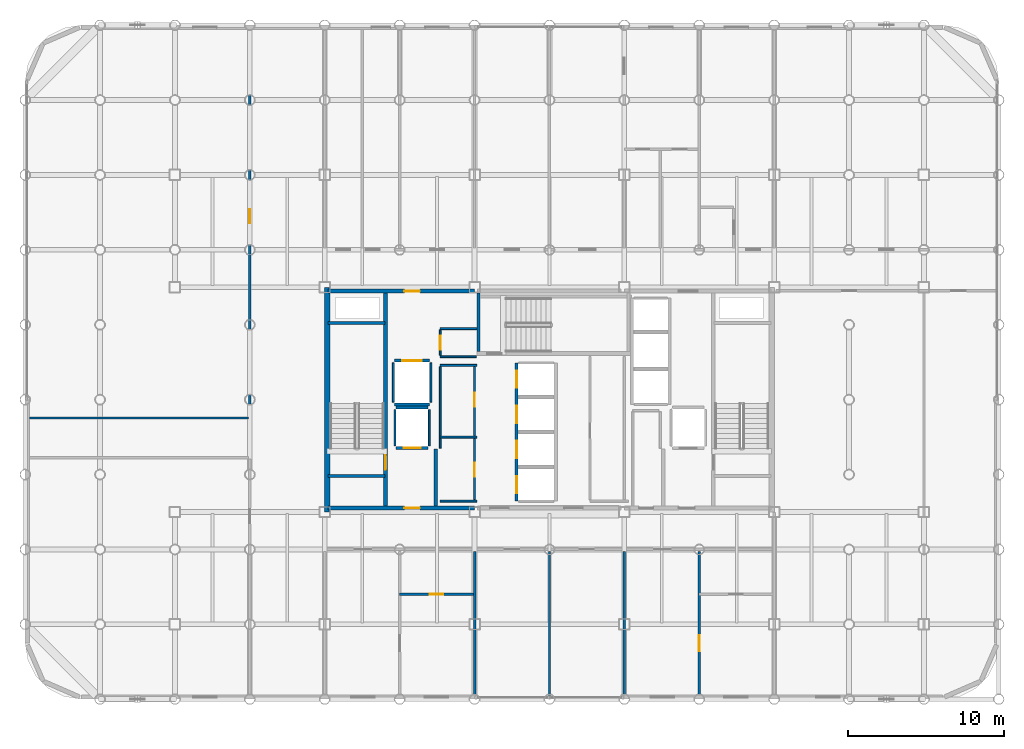
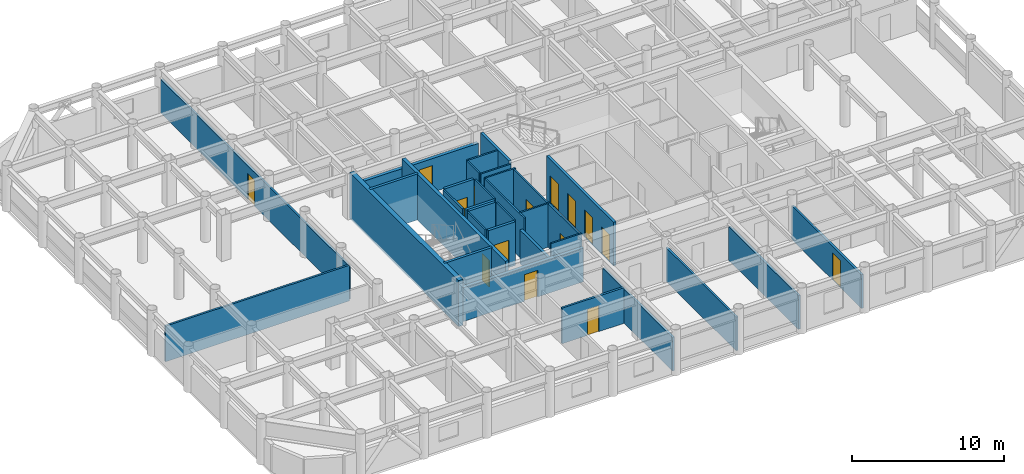
# One storey, part 16 of 20: 32 walls, 15 doors, 15 openings.
"""IFC4 building model written with IfcOpenShell, lengths in metres."""

from ifc_helpers import new_model, si_unit, direction, frame, frame_2d, origin, place, context, subcontext, project, spatial, rectangle, extrude, material, layer, layer_set, type_object, element, fill, save


model = new_model("IFC4")

# Units and contexts
model_context = context("Model", 3, precision=1e-05, world=origin(), true_north=direction((0.0, 1.0)))
body_context = subcontext(model_context, "Body", "Model", "MODEL_VIEW")
ifc_project = project(units=[si_unit("LENGTHUNIT", "METRE"), si_unit("AREAUNIT", "SQUARE_METRE"), si_unit("VOLUMEUNIT", "CUBIC_METRE"), si_unit("PLANEANGLEUNIT", "RADIAN"), si_unit("MASSUNIT", "GRAM", prefix="KILO")], contexts=[model_context])

# Site, building, storey
site_placement = place(None, origin())
site = spatial("IfcSite", under=ifc_project, at=site_placement, CompositionType="ELEMENT")
building_placement = place(site_placement, origin())
building = spatial("IfcBuilding", under=site, at=building_placement, Name="Kallvorn Hotel Tower", CompositionType="ELEMENT")
storey_placement = place(building_placement, frame((0.0, 0.0, 143.300048828125)))
storey = spatial("IfcBuildingStorey", under=building, at=storey_placement, Name="L35", CompositionType="ELEMENT", Elevation=143.300048828125)

# Wall
ifc_material_1 = material(Name="Concrete C50/60", Category="concrete")
ifc_layer_1 = layer(ifc_material_1, 0.35009765625)
ifc_layer_set_1 = layer_set([ifc_layer_1], Name="WL_CORE_350")
wall_type_1 = type_object("IfcWallType", Name="WL_CORE_350", PredefinedType="SHEAR", material=ifc_layer_set_1)
wall_1_placement = place(storey_placement, frame((-14.239990234375, -7.199951171875, -0.179931640625), z_axis=(0.0, 0.0, 1.0), x_axis=(0.0, 1.0, 0.0)))
element("IfcWall", 1, at=wall_1_placement, inside=storey, type_object=wall_type_1, Name="L35 Core West Shear Wall", PredefinedType="SHEAR", context=body_context, shape_type="SweptSolid", body=[
    extrude(rectangle(XDim=14.39990234375, YDim=0.35009765625, at=frame_2d((7.199951171875, 0.0))), origin(), (0.0, 0.0, 1.0), 3.699951171875),
])

# Wall, opening, door
ifc_material_2 = material(Name="Fire-rated double-layer acoustic gypsum drywall EI 60")
ifc_layer_2 = layer(ifc_material_2, 0.159912109375)
ifc_layer_set_2 = layer_set([ifc_layer_2], Name="WL_DEMISE_160")
wall_type_2 = type_object("IfcWallType", Name="WL_DEMISE_160", PredefinedType="PARTITIONING", material=ifc_layer_set_2)
wall_2_placement = place(storey_placement, frame((-9.60009765625, -12.469970703125, 0.0), z_axis=(0.0, 0.0, 1.0), x_axis=(1.0, 0.0, 0.0)))
wall_2 = element("IfcWall", 2, at=wall_2_placement, inside=storey, type_object=wall_type_2, Name="L35 Suite 3501 Executive Bedroom Partition", PredefinedType="PARTITIONING", context=body_context, shape_type="SweptSolid", body=[
    extrude(rectangle(XDim=4.72021484375, YDim=0.159912109375, at=frame_2d((2.360107421875, 0.0))), origin(), (0.0, 0.0, 1.0), 2.869873046875),
])
opening_1_placement = place(wall_2_placement, frame((1.929931640625, 0.0, 0.0)))
opening_1 = element("IfcOpeningElement", 3, at=opening_1_placement, cuts=wall_2, Name="Opening BD-I", PredefinedType="OPENING", context=body_context, shape_type="SweptSolid", body=[
    extrude(rectangle(XDim=0.860107421875, YDim=2.10009765625, at=frame_2d((0.43017578125, 1.050048828125))), frame((0.0, 0.094970703125, 0.0), z_axis=(0.0, -1.0, 0.0), x_axis=(1.0, 0.0, 0.0)), (0.0, 0.0, 1.0), 0.18994140625),
])
ifc_material_3 = material(Name="Solid-core walnut veneer fire-rated timber door leaf", Category="wood")
door_type_1 = type_object("IfcDoorType", Name="DR_BATH_860x2100", OperationType="NOTDEFINED", PredefinedType="DOOR", material=ifc_material_3)
door_1_placement = place(opening_1_placement, origin())
door_1 = element("IfcDoor", 4, at=door_1_placement, inside=storey, type_object=door_type_1, Name="L35 Suite 3501 En-Suite Bathroom Door", OperationType="SINGLE_SWING_LEFT", OverallHeight=2.10009765625, OverallWidth=0.860107421875, PredefinedType="DOOR", context=body_context, shape_type="SweptSolid", body=[
    extrude(rectangle(XDim=0.860107421875, YDim=2.10009765625, at=frame_2d((0.43017578125, 1.050048828125))), frame((0.0, 0.02490234375, 0.0), z_axis=(0.0, -1.0, 0.0), x_axis=(1.0, 0.0, 0.0)), (0.0, 0.0, 1.0), 0.050048828125),
])
fill(opening_1, door_1)

# Walls
for number, where, z_axis, x_axis, name in (
    (5, (-4.800048828125, -18.909912109375, 0.0), (0.0, 0.0, 1.0), (0.0, 1.0, 0.0), "L35 Suite 3501 Executive Bedroom Partition"),
    (6, (4.800048828125, -18.909912109375, 0.0), (0.0, 0.0, 1.0), (0.0, 1.0, 0.0), "L35 Suite 3502 Executive Living Salon Partition"),
):
    element("IfcWall", number, at=place(storey_placement, frame(where, z_axis=z_axis, x_axis=x_axis)), inside=storey, type_object=wall_type_2, Name=name, PredefinedType="PARTITIONING", context=body_context, shape_type="SweptSolid", body=[
        extrude(rectangle(XDim=9.18994140625, YDim=0.159912109375, at=frame_2d((4.594970703125, 0.0))), origin(), (0.0, 0.0, 1.0), 2.719970703125),
    ])

# Wall, opening, door
wall_3_placement = place(storey_placement, frame((9.60009765625, -18.909912109375, 0.0), z_axis=(0.0, 0.0, 1.0), x_axis=(0.0, 1.0, 0.0)))
wall_3 = element("IfcWall", 7, at=wall_3_placement, inside=storey, type_object=wall_type_2, Name="L35 Suite 3502 Executive Bedroom Partition", PredefinedType="PARTITIONING", context=body_context, shape_type="SweptSolid", body=[
    extrude(rectangle(XDim=9.18994140625, YDim=0.159912109375, at=frame_2d((4.594970703125, 0.0))), origin(), (0.0, 0.0, 1.0), 2.719970703125),
])
opening_2_placement = place(wall_3_placement, frame((2.77490234375, 0.0, 0.0)))
opening_2 = element("IfcOpeningElement", 8, at=opening_2_placement, cuts=wall_3, Name="Opening GD2", PredefinedType="OPENING", context=body_context, shape_type="SweptSolid", body=[
    extrude(rectangle(XDim=1.050048828125, YDim=2.199951171875, at=frame_2d((0.52490234375, 1.10009765625))), frame((0.0, 0.094970703125, 0.0), z_axis=(0.0, -1.0, 0.0), x_axis=(1.0, 0.0, 0.0)), (0.0, 0.0, 1.0), 0.18994140625),
])
ifc_material_4 = material(Name="Solid-core walnut veneer fire-rated timber door leaf", Category="wood")
door_type_2 = type_object("IfcDoorType", Name="DR_SUITE_1050x2200", OperationType="NOTDEFINED", PredefinedType="DOOR", material=ifc_material_4)
door_2_placement = place(opening_2_placement, origin())
door_2 = element("IfcDoor", 9, at=door_2_placement, inside=storey, type_object=door_type_2, Name="L35 Suite 3502 Executive Bedroom Door", OperationType="SINGLE_SWING_LEFT", OverallHeight=2.199951171875, OverallWidth=1.050048828125, PredefinedType="DOOR", context=body_context, shape_type="SweptSolid", body=[
    extrude(rectangle(XDim=1.050048828125, YDim=2.199951171875, at=frame_2d((0.52490234375, 1.10009765625))), frame((0.0, 0.02490234375, 0.0), z_axis=(0.0, -1.0, 0.0), x_axis=(1.0, 0.0, 0.0)), (0.0, 0.0, 1.0), 0.050048828125),
])
fill(opening_2, door_2)

# Walls
ifc_material_5 = material(Name="Concrete C40/50", Category="concrete")
ifc_layer_3 = layer(ifc_material_5, 0.219970703125)
ifc_layer_set_3 = layer_set([ifc_layer_3], Name="WL_FFL_220")
wall_type_3 = type_object("IfcWallType", Name="WL_FFL_220", PredefinedType="SOLIDWALL", material=ifc_layer_set_3)
wall_4_placement = place(storey_placement, frame((-7.300048828125, -6.820068359375, 0.0), z_axis=(0.0, 0.0, 1.0), x_axis=(0.0, 1.0, 0.0)))
element("IfcWall", 10, at=wall_4_placement, inside=storey, type_object=wall_type_3, Name="L35 Firefighting Lobby West Divider Wall", PredefinedType="SOLIDWALL", context=body_context, shape_type="SweptSolid", body=[
    extrude(rectangle(XDim=3.670166015625, YDim=0.219970703125, at=frame_2d((1.8349609375, 0.0))), origin(), (0.0, 0.0, 1.0), 2.719970703125),
])
ifc_material_6 = material(Name="Concrete C40/50", Category="concrete")
ifc_layer_4 = layer(ifc_material_6, 0.199951171875)
ifc_layer_set_4 = layer_set([ifc_layer_4], Name="WL_HOIST_200")
wall_type_4 = type_object("IfcWallType", Name="WL_HOIST_200", PredefinedType="SOLIDWALL", material=ifc_layer_set_4)
for number, where, z_axis, x_axis, name in (
    (11, (-14.199951171875, -4.89990234375, -0.179931640625), (0.0, 0.0, 1.0), (1.0, 0.0, 0.0), "L35 Stair ST1 South Wall"),
    (12, (-14.199951171875, 4.89990234375, -0.179931640625), (0.0, 0.0, 1.0), (1.0, 0.0, 0.0), "L35 Stair ST1 North Wall"),
):
    element("IfcWall", number, at=place(storey_placement, frame(where, z_axis=z_axis, x_axis=x_axis)), inside=storey, type_object=wall_type_4, Name=name, PredefinedType="SOLIDWALL", context=body_context, shape_type="SweptSolid", body=[
        extrude(rectangle(XDim=3.64990234375, YDim=0.199951171875, at=frame_2d((1.824951171875, 0.0))), origin(), (0.0, 0.0, 1.0), 3.699951171875),
    ])
wall_5_placement = place(storey_placement, frame((-4.550048828125, 3.080078125, -0.179931640625), z_axis=(0.0, 0.0, 1.0), x_axis=(0.0, 1.0, 0.0)))
element("IfcWall", 13, at=wall_5_placement, inside=storey, type_object=wall_type_4, Name="L35 Stair ST3 West Wall", PredefinedType="SOLIDWALL", context=body_context, shape_type="SweptSolid", body=[
    extrude(rectangle(XDim=3.739990234375, YDim=0.199951171875, at=frame_2d((1.8701171875, 0.0))), origin(), (0.0, 0.0, 1.0), 3.699951171875),
])

# Wall, openings, doors
wall_6_placement = place(storey_placement, frame((-2.10009765625, -6.5, 0.0), z_axis=(0.0, 0.0, 1.0), x_axis=(0.0, 1.0, 0.0)))
wall_6 = element("IfcWall", 14, at=wall_6_placement, inside=storey, type_object=wall_type_4, Name="L35 Lift Bank B2 Landing Wall", PredefinedType="SOLIDWALL", context=body_context, shape_type="SweptSolid", body=[
    extrude(rectangle(XDim=8.85009765625, YDim=0.199951171875, at=frame_2d((4.425048828125, 0.0))), origin(), (0.0, 0.0, 1.0), 3.52001953125),
])
opening_3_placement = place(wall_6_placement, frame((0.5, 0.0, 0.0)))
opening_3 = element("IfcOpeningElement", 15, at=opening_3_placement, cuts=wall_6, Name="Opening LD-PL-05", PredefinedType="OPENING", context=body_context, shape_type="SweptSolid", body=[
    extrude(rectangle(XDim=1.10009765625, YDim=2.199951171875, at=frame_2d((0.550048828125, 1.10009765625))), frame((0.0, 0.114990234375, 0.0), z_axis=(0.0, -1.0, 0.0), x_axis=(1.0, 0.0, 0.0)), (0.0, 0.0, 1.0), 0.22998046875),
])
opening_4_placement = place(wall_6_placement, frame((2.75, 0.0, 0.0)))
opening_4 = element("IfcOpeningElement", 16, at=opening_4_placement, cuts=wall_6, Name="Opening LD-PL-06", PredefinedType="OPENING", context=body_context, shape_type="SweptSolid", body=[
    extrude(rectangle(XDim=1.10009765625, YDim=2.199951171875, at=frame_2d((0.550048828125, 1.10009765625))), frame((0.0, 0.114990234375, 0.0), z_axis=(0.0, -1.0, 0.0), x_axis=(1.0, 0.0, 0.0)), (0.0, 0.0, 1.0), 0.22998046875),
])
opening_5_placement = place(wall_6_placement, frame((5.0, 0.0, 0.0)))
opening_5 = element("IfcOpeningElement", 17, at=opening_5_placement, cuts=wall_6, Name="Opening LD-PL-07", PredefinedType="OPENING", context=body_context, shape_type="SweptSolid", body=[
    extrude(rectangle(XDim=1.10009765625, YDim=2.199951171875, at=frame_2d((0.550048828125, 1.10009765625))), frame((0.0, 0.114990234375, 0.0), z_axis=(0.0, -1.0, 0.0), x_axis=(1.0, 0.0, 0.0)), (0.0, 0.0, 1.0), 0.22998046875),
])
opening_6_placement = place(wall_6_placement, frame((7.25, 0.0, 0.0)))
opening_6 = element("IfcOpeningElement", 18, at=opening_6_placement, cuts=wall_6, Name="Opening LD-PL-08", PredefinedType="OPENING", context=body_context, shape_type="SweptSolid", body=[
    extrude(rectangle(XDim=1.10009765625, YDim=2.199951171875, at=frame_2d((0.550048828125, 1.10009765625))), frame((0.0, 0.114990234375, 0.0), z_axis=(0.0, -1.0, 0.0), x_axis=(1.0, 0.0, 0.0)), (0.0, 0.0, 1.0), 0.22998046875),
])
ifc_material_7 = material(Name="Brushed stainless-steel automatic sliding lift landing door", Category="steel")
door_type_3 = type_object("IfcDoorType", Name="LD_PASS_1100x2200", OperationType="SLIDING_TO_LEFT", PredefinedType="DOOR", material=ifc_material_7)
door_3_placement = place(opening_3_placement, origin())
door_3 = element("IfcDoor", 19, at=door_3_placement, inside=storey, type_object=door_type_3, Name="L35 Lift Landing Sliding Door LD-PL-05", OperationType="SLIDING_TO_LEFT", OverallHeight=2.199951171875, OverallWidth=1.10009765625, PredefinedType="DOOR", context=body_context, shape_type="SweptSolid", body=[
    extrude(rectangle(XDim=1.10009765625, YDim=2.199951171875, at=frame_2d((0.550048828125, 1.10009765625))), frame((0.0, 0.02490234375, 0.0), z_axis=(0.0, -1.0, 0.0), x_axis=(1.0, 0.0, 0.0)), (0.0, 0.0, 1.0), 0.050048828125),
])
fill(opening_3, door_3)
door_4_placement = place(opening_4_placement, origin())
door_4 = element("IfcDoor", 20, at=door_4_placement, inside=storey, type_object=door_type_3, Name="L35 Lift Landing Sliding Door LD-PL-06", OperationType="SLIDING_TO_LEFT", OverallHeight=2.199951171875, OverallWidth=1.10009765625, PredefinedType="DOOR", context=body_context, shape_type="SweptSolid", body=[
    extrude(rectangle(XDim=1.10009765625, YDim=2.199951171875, at=frame_2d((0.550048828125, 1.10009765625))), frame((0.0, 0.02490234375, 0.0), z_axis=(0.0, -1.0, 0.0), x_axis=(1.0, 0.0, 0.0)), (0.0, 0.0, 1.0), 0.050048828125),
])
fill(opening_4, door_4)
door_5_placement = place(opening_5_placement, origin())
door_5 = element("IfcDoor", 21, at=door_5_placement, inside=storey, type_object=door_type_3, Name="L35 Lift Landing Sliding Door LD-PL-07", OperationType="SLIDING_TO_LEFT", OverallHeight=2.199951171875, OverallWidth=1.10009765625, PredefinedType="DOOR", context=body_context, shape_type="SweptSolid", body=[
    extrude(rectangle(XDim=1.10009765625, YDim=2.199951171875, at=frame_2d((0.550048828125, 1.10009765625))), frame((0.0, 0.02490234375, 0.0), z_axis=(0.0, -1.0, 0.0), x_axis=(1.0, 0.0, 0.0)), (0.0, 0.0, 1.0), 0.050048828125),
])
fill(opening_5, door_5)
door_6_placement = place(opening_6_placement, origin())
door_6 = element("IfcDoor", 22, at=door_6_placement, inside=storey, type_object=door_type_3, Name="L35 Lift Landing Sliding Door LD-PL-08", OperationType="SLIDING_TO_LEFT", OverallHeight=2.199951171875, OverallWidth=1.10009765625, PredefinedType="DOOR", context=body_context, shape_type="SweptSolid", body=[
    extrude(rectangle(XDim=1.10009765625, YDim=2.199951171875, at=frame_2d((0.550048828125, 1.10009765625))), frame((0.0, 0.02490234375, 0.0), z_axis=(0.0, -1.0, 0.0), x_axis=(1.0, 0.0, 0.0)), (0.0, 0.0, 1.0), 0.050048828125),
])
fill(opening_6, door_6)

# Wall, opening, door
wall_7_placement = place(storey_placement, frame((-9.820068359375, -3.10009765625, 0.0), z_axis=(0.0, 0.0, 1.0), x_axis=(1.0, 0.0, 0.0)))
wall_7 = element("IfcWall", 23, at=wall_7_placement, inside=storey, type_object=wall_type_4, Name="L35 FL-1 Landing Wall", PredefinedType="SOLIDWALL", context=body_context, shape_type="SweptSolid", body=[
    extrude(rectangle(XDim=2.0400390625, YDim=0.199951171875, at=frame_2d((1.02001953125, 0.0))), origin(), (0.0, 0.0, 1.0), 3.52001953125),
])
opening_7_placement = place(wall_7_placement, frame((0.469970703125, 0.0, 0.0)))
opening_7 = element("IfcOpeningElement", 24, at=opening_7_placement, cuts=wall_7, Name="Opening LD-FL-1", PredefinedType="OPENING", context=body_context, shape_type="SweptSolid", body=[
    extrude(rectangle(XDim=1.10009765625, YDim=2.199951171875, at=frame_2d((0.550048828125, 1.10009765625))), frame((0.0, 0.114990234375, 0.0), z_axis=(0.0, -1.0, 0.0), x_axis=(1.0, 0.0, 0.0)), (0.0, 0.0, 1.0), 0.22998046875),
])
door_7_placement = place(opening_7_placement, origin())
door_7 = element("IfcDoor", 25, at=door_7_placement, inside=storey, type_object=door_type_3, Name="L35 Lift Landing Sliding Door LD-FL-1", OperationType="SLIDING_TO_LEFT", OverallHeight=2.199951171875, OverallWidth=1.10009765625, PredefinedType="DOOR", context=body_context, shape_type="SweptSolid", body=[
    extrude(rectangle(XDim=1.10009765625, YDim=2.199951171875, at=frame_2d((0.550048828125, 1.10009765625))), frame((0.0, 0.02490234375, 0.0), z_axis=(0.0, -1.0, 0.0), x_axis=(1.0, 0.0, 0.0)), (0.0, 0.0, 1.0), 0.050048828125),
])
fill(opening_7, door_7)

# Wall
wall_8_placement = place(storey_placement, frame((-9.820068359375, -0.5, 0.0), z_axis=(0.0, 0.0, 1.0), x_axis=(1.0, 0.0, 0.0)))
element("IfcWall", 26, at=wall_8_placement, inside=storey, type_object=wall_type_4, Name="L35 FL-1 Rear Shaft Wall", PredefinedType="SOLIDWALL", context=body_context, shape_type="SweptSolid", body=[
    extrude(rectangle(XDim=2.0400390625, YDim=0.199951171875, at=frame_2d((1.02001953125, 0.0))), origin(), (0.0, 0.0, 1.0), 3.52001953125),
])

# Wall, opening, door
wall_9_placement = place(storey_placement, frame((-9.919921875, 2.5, 0.0), z_axis=(0.0, 0.0, 1.0), x_axis=(1.0, 0.0, 0.0)))
wall_9 = element("IfcWall", 27, at=wall_9_placement, inside=storey, type_object=wall_type_4, Name="L35 SV-01 Landing Wall", PredefinedType="SOLIDWALL", context=body_context, shape_type="SweptSolid", body=[
    extrude(rectangle(XDim=2.239990234375, YDim=0.199951171875, at=frame_2d((1.1201171875, 0.0))), origin(), (0.0, 0.0, 1.0), 3.52001953125),
])
opening_8_placement = place(wall_9_placement, frame((0.4951171875, 0.0, 0.0)))
opening_8 = element("IfcOpeningElement", 28, at=opening_8_placement, cuts=wall_9, Name="Opening LD-SV-01", PredefinedType="OPENING", context=body_context, shape_type="SweptSolid", body=[
    extrude(rectangle(XDim=1.25, YDim=2.25, at=frame_2d((0.625, 1.125))), frame((0.0, 0.114990234375, 0.0), z_axis=(0.0, -1.0, 0.0), x_axis=(1.0, 0.0, 0.0)), (0.0, 0.0, 1.0), 0.22998046875),
])
ifc_material_8 = material(Name="Brushed stainless-steel automatic sliding lift landing door", Category="steel")
door_type_4 = type_object("IfcDoorType", Name="LD_SERV_1250x2250", OperationType="SLIDING_TO_LEFT", PredefinedType="DOOR", material=ifc_material_8)
door_8_placement = place(opening_8_placement, origin())
door_8 = element("IfcDoor", 29, at=door_8_placement, inside=storey, type_object=door_type_4, Name="L35 Lift Landing Sliding Door LD-SV-01", OperationType="SLIDING_TO_LEFT", OverallHeight=2.25, OverallWidth=1.25, PredefinedType="DOOR", context=body_context, shape_type="SweptSolid", body=[
    extrude(rectangle(XDim=1.25, YDim=2.25, at=frame_2d((0.625, 1.125))), frame((0.0, 0.02490234375, 0.0), z_axis=(0.0, -1.0, 0.0), x_axis=(1.0, 0.0, 0.0)), (0.0, 0.0, 1.0), 0.050048828125),
])
fill(opening_8, door_8)

# Walls
wall_10_placement = place(storey_placement, frame((-9.919921875, -0.300048828125, 0.0), z_axis=(0.0, 0.0, 1.0), x_axis=(1.0, 0.0, 0.0)))
element("IfcWall", 30, at=wall_10_placement, inside=storey, type_object=wall_type_4, Name="L35 SV-01 Rear Shaft Wall", PredefinedType="SOLIDWALL", context=body_context, shape_type="SweptSolid", body=[
    extrude(rectangle(XDim=2.239990234375, YDim=0.199951171875, at=frame_2d((1.1201171875, 0.0))), origin(), (0.0, 0.0, 1.0), 3.52001953125),
])
ifc_material_9 = material(Name="Fire-rated double-layer acoustic gypsum drywall EI 60")
ifc_layer_5 = layer(ifc_material_9, 0.1201171875)
ifc_layer_set_5 = layer_set([ifc_layer_5], Name="WL_INT_120")
wall_type_5 = type_object("IfcWallType", Name="WL_INT_120", PredefinedType="PARTITIONING", material=ifc_layer_set_5)
for number, where, z_axis, x_axis, name in (
    (31, (-9.89990234375, -2.9599609375, 0.0), (0.0, 0.0, 1.0), (0.0, 1.0, 0.0), "L35 FL-1 West Shaft Wall"),
    (32, (-7.699951171875, -2.9599609375, 0.0), (0.0, 0.0, 1.0), (0.0, 1.0, 0.0), "L35 FL-1 East Shaft Wall"),
):
    element("IfcWall", number, at=place(storey_placement, frame(where, z_axis=z_axis, x_axis=x_axis)), inside=storey, type_object=wall_type_5, Name=name, PredefinedType="PARTITIONING", context=body_context, shape_type="SweptSolid", body=[
        extrude(rectangle(XDim=2.320068359375, YDim=0.1201171875, at=frame_2d((1.16015625, 0.0))), origin(), (0.0, 0.0, 1.0), 3.52001953125),
    ])
for number, where, z_axis, x_axis, name in (
    (33, (-10.0, -0.159912109375, 0.0), (0.0, 0.0, 1.0), (0.0, 1.0, 0.0), "L35 SV-01 West Shaft Wall"),
    (34, (-7.60009765625, -0.159912109375, 0.0), (0.0, 0.0, 1.0), (0.0, 1.0, 0.0), "L35 SV-01 East Shaft Wall"),
):
    element("IfcWall", number, at=place(storey_placement, frame(where, z_axis=z_axis, x_axis=x_axis)), inside=storey, type_object=wall_type_5, Name=name, PredefinedType="PARTITIONING", context=body_context, shape_type="SweptSolid", body=[
        extrude(rectangle(XDim=2.52001953125, YDim=0.1201171875, at=frame_2d((1.260009765625, 0.0))), origin(), (0.0, 0.0, 1.0), 3.52001953125),
    ])
for number, where, z_axis, x_axis, name in (
    (35, (-7.0, -6.5, 0.0), (0.0, 0.0, 1.0), (1.0, 0.0, 0.0), "L35 Recaptured South Minibar Pantry Partition"),
    (36, (-7.0, -2.39990234375, 0.0), (0.0, 0.0, 1.0), (1.0, 0.0, 0.0), "L35 Recaptured Central Linen Store Partition"),
    (37, (-7.0, 2.199951171875, 0.0), (0.0, 0.0, 1.0), (1.0, 0.0, 0.0), "L35 Recaptured Central Linen Store Partition"),
):
    element("IfcWall", number, at=place(storey_placement, frame(where, z_axis=z_axis, x_axis=x_axis)), inside=storey, type_object=wall_type_5, Name=name, PredefinedType="PARTITIONING", context=body_context, shape_type="SweptSolid", body=[
        extrude(rectangle(XDim=2.35009765625, YDim=0.1201171875, at=frame_2d((1.175048828125, 0.0))), origin(), (0.0, 0.0, 1.0), 3.52001953125),
    ])
wall_11_placement = place(storey_placement, frame((-7.0, 2.75, 0.0), z_axis=(0.0, 0.0, 1.0), x_axis=(1.0, 0.0, 0.0)))
element("IfcWall", 38, at=wall_11_placement, inside=storey, type_object=wall_type_5, Name="L35 Recaptured North Valet Closet Partition", PredefinedType="PARTITIONING", context=body_context, shape_type="SweptSolid", body=[
    extrude(rectangle(XDim=2.31005859375, YDim=0.1201171875, at=frame_2d((1.155029296875, 0.0))), origin(), (0.0, 0.0, 1.0), 3.52001953125),
])
wall_12_placement = place(storey_placement, frame((-7.0, 4.550048828125, 0.0), z_axis=(0.0, 0.0, 1.0), x_axis=(1.0, 0.0, 0.0)))
element("IfcWall", 39, at=wall_12_placement, inside=storey, type_object=wall_type_5, Name="L35 Recaptured North Valet Closet Partition", PredefinedType="PARTITIONING", context=body_context, shape_type="SweptSolid", body=[
    extrude(rectangle(XDim=2.35009765625, YDim=0.1201171875, at=frame_2d((1.175048828125, 0.0))), origin(), (0.0, 0.0, 1.0), 3.52001953125),
])
wall_13_placement = place(storey_placement, frame((-7.0, -3.110107421875, 0.0), z_axis=(0.0, 0.0, 1.0), x_axis=(0.0, 1.0, 0.0)))
element("IfcWall", 40, at=wall_13_placement, inside=storey, type_object=wall_type_5, Name="L35 Recaptured South Minibar Pantry Partition", PredefinedType="PARTITIONING", context=body_context, shape_type="SweptSolid", body=[
    extrude(rectangle(XDim=5.22509765625, YDim=0.1201171875, at=frame_2d((2.612548828125, 0.0))), origin(), (0.0, 0.0, 1.0), 3.52001953125),
])

# Wall, opening, door
wall_14_placement = place(storey_placement, frame((-7.0, 2.8349609375, 0.0), z_axis=(0.0, 0.0, 1.0), x_axis=(0.0, 1.0, 0.0)))
wall_14 = element("IfcWall", 41, at=wall_14_placement, inside=storey, type_object=wall_type_5, Name="L35 Recaptured North Valet Closet Partition", PredefinedType="PARTITIONING", context=body_context, shape_type="SweptSolid", body=[
    extrude(rectangle(XDim=1.630126953125, YDim=0.1201171875, at=frame_2d((0.81494140625, 0.0))), origin(), (0.0, 0.0, 1.0), 3.52001953125),
])
opening_9_placement = place(wall_14_placement, frame((0.364990234375, 0.0, 0.0)))
opening_9 = element("IfcOpeningElement", 42, at=opening_9_placement, cuts=wall_14, Name="Opening SVD1", PredefinedType="OPENING", context=body_context, shape_type="SweptSolid", body=[
    extrude(rectangle(XDim=0.89990234375, YDim=2.10009765625, at=frame_2d((0.449951171875, 1.050048828125))), frame((0.0, 0.074951171875, 0.0), z_axis=(0.0, -1.0, 0.0), x_axis=(1.0, 0.0, 0.0)), (0.0, 0.0, 1.0), 0.150146484375),
])
ifc_material_10 = material(Name="Galvanised painted steel fire-rated door assembly", Category="steel")
door_type_5 = type_object("IfcDoorType", Name="DR_SERV_900x2100", OperationType="NOTDEFINED", PredefinedType="DOOR", material=ifc_material_10)
door_9_placement = place(opening_9_placement, origin())
door_9 = element("IfcDoor", 43, at=door_9_placement, inside=storey, type_object=door_type_5, Name="L35 Recaptured North Valet Closet Door", OperationType="SINGLE_SWING_LEFT", OverallHeight=2.10009765625, OverallWidth=0.89990234375, PredefinedType="DOOR", context=body_context, shape_type="SweptSolid", body=[
    extrude(rectangle(XDim=0.89990234375, YDim=2.10009765625, at=frame_2d((0.449951171875, 1.050048828125))), frame((0.0, 0.02490234375, 0.0), z_axis=(0.0, -1.0, 0.0), x_axis=(1.0, 0.0, 0.0)), (0.0, 0.0, 1.0), 0.050048828125),
])
fill(opening_9, door_9)

# Wall, openings, doors
wall_15_placement = place(storey_placement, frame((-4.800048828125, -6.4150390625, 0.0), z_axis=(0.0, 0.0, 1.0), x_axis=(0.0, 1.0, 0.0)))
wall_15 = element("IfcWall", 44, at=wall_15_placement, inside=storey, type_object=wall_type_5, Name="L35 Recaptured South Minibar Pantry Partition", PredefinedType="PARTITIONING", context=body_context, shape_type="SweptSolid", body=[
    extrude(rectangle(XDim=8.530029296875, YDim=0.1201171875, at=frame_2d((4.26513671875, 0.0))), origin(), (0.0, 0.0, 1.0), 3.52001953125),
])
opening_10_placement = place(wall_15_placement, frame((1.465087890625, 0.0, 0.0)))
opening_10 = element("IfcOpeningElement", 45, at=opening_10_placement, cuts=wall_15, Name="Opening SVD1", PredefinedType="OPENING", context=body_context, shape_type="SweptSolid", body=[
    extrude(rectangle(XDim=0.89990234375, YDim=2.10009765625, at=frame_2d((0.449951171875, 1.050048828125))), frame((0.0, 0.074951171875, 0.0), z_axis=(0.0, -1.0, 0.0), x_axis=(1.0, 0.0, 0.0)), (0.0, 0.0, 1.0), 0.150146484375),
])
opening_11_placement = place(wall_15_placement, frame((5.965087890625, 0.0, 0.0)))
opening_11 = element("IfcOpeningElement", 46, at=opening_11_placement, cuts=wall_15, Name="Opening SVD1", PredefinedType="OPENING", context=body_context, shape_type="SweptSolid", body=[
    extrude(rectangle(XDim=0.89990234375, YDim=2.10009765625, at=frame_2d((0.449951171875, 1.050048828125))), frame((0.0, 0.074951171875, 0.0), z_axis=(0.0, -1.0, 0.0), x_axis=(1.0, 0.0, 0.0)), (0.0, 0.0, 1.0), 0.150146484375),
])
door_10_placement = place(opening_10_placement, origin())
door_10 = element("IfcDoor", 47, at=door_10_placement, inside=storey, type_object=door_type_5, Name="L35 Recaptured South Minibar Pantry Door", OperationType="SINGLE_SWING_RIGHT", OverallHeight=2.10009765625, OverallWidth=0.89990234375, PredefinedType="DOOR", context=body_context, shape_type="SweptSolid", body=[
    extrude(rectangle(XDim=0.89990234375, YDim=2.10009765625, at=frame_2d((0.449951171875, 1.050048828125))), frame((0.0, 0.02490234375, 0.0), z_axis=(0.0, -1.0, 0.0), x_axis=(1.0, 0.0, 0.0)), (0.0, 0.0, 1.0), 0.050048828125),
])
fill(opening_10, door_10)
door_11_placement = place(opening_11_placement, origin())
door_11 = element("IfcDoor", 48, at=door_11_placement, inside=storey, type_object=door_type_5, Name="L35 Recaptured Central Linen Store Door", OperationType="SINGLE_SWING_LEFT", OverallHeight=2.10009765625, OverallWidth=0.89990234375, PredefinedType="DOOR", context=body_context, shape_type="SweptSolid", body=[
    extrude(rectangle(XDim=0.89990234375, YDim=2.10009765625, at=frame_2d((0.449951171875, 1.050048828125))), frame((0.0, 0.02490234375, 0.0), z_axis=(0.0, -1.0, 0.0), x_axis=(1.0, 0.0, 0.0)), (0.0, 0.0, 1.0), 0.050048828125),
])
fill(opening_11, door_11)

# Wall
ifc_material_11 = material(Name="Fire-rated double-layer acoustic gypsum drywall EI 60")
ifc_layer_6 = layer(ifc_material_11, 0.14990234375)
ifc_layer_set_6 = layer_set([ifc_layer_6], Name="WL_PART_150")
wall_type_6 = type_object("IfcWallType", Name="WL_PART_150", PredefinedType="PARTITIONING", material=ifc_layer_set_6)
wall_16_placement = place(storey_placement, frame((-33.31005859375, -1.179931640625, 0.0), z_axis=(0.0, 0.0, 1.0), x_axis=(1.0, 0.0, 0.0)))
element("IfcWall", 49, at=wall_16_placement, inside=storey, type_object=wall_type_6, Name="L35 L35 North-West Cordillera Fitness Gymnasium Partition", PredefinedType="PARTITIONING", context=body_context, shape_type="SweptSolid", body=[
    extrude(rectangle(XDim=14.030029296875, YDim=0.14990234375, at=frame_2d((7.01513671875, 0.0))), origin(), (0.0, 0.0, 1.0), 2.869873046875),
])

# Wall, opening, door
wall_17_placement = place(storey_placement, frame((-19.199951171875, -1.094970703125, 0.0), z_axis=(0.0, 0.0, 1.0), x_axis=(0.0, 1.0, 0.0)))
wall_17 = element("IfcWall", 50, at=wall_17_placement, inside=storey, type_object=wall_type_6, Name="L35 L35 North-West Cordillera Fitness Gymnasium Partition", PredefinedType="PARTITIONING", context=body_context, shape_type="SweptSolid", body=[
    extrude(rectangle(XDim=24.804931640625, YDim=0.14990234375, at=frame_2d((12.40234375, 0.0))), origin(), (0.0, 0.0, 1.0), 2.719970703125),
])
opening_12_placement = place(wall_17_placement, frame((12.40185546875, 0.0, 0.0)))
opening_12 = element("IfcOpeningElement", 51, at=opening_12_placement, cuts=wall_17, Name="Opening SVD1", PredefinedType="OPENING", context=body_context, shape_type="SweptSolid", body=[
    extrude(rectangle(XDim=0.89990234375, YDim=2.10009765625, at=frame_2d((0.449951171875, 1.050048828125))), frame((0.0, 0.08984375, 0.0), z_axis=(0.0, -1.0, 0.0), x_axis=(1.0, 0.0, 0.0)), (0.0, 0.0, 1.0), 0.179931640625),
])
door_12_placement = place(opening_12_placement, origin())
door_12 = element("IfcDoor", 52, at=door_12_placement, inside=storey, type_object=door_type_5, Name="L35 L35 North-West Cordillera Fitness Gymnasium Door", OperationType="SINGLE_SWING_RIGHT", OverallHeight=2.10009765625, OverallWidth=0.89990234375, PredefinedType="DOOR", context=body_context, shape_type="SweptSolid", body=[
    extrude(rectangle(XDim=0.89990234375, YDim=2.10009765625, at=frame_2d((0.449951171875, 1.050048828125))), frame((0.0, 0.02490234375, 0.0), z_axis=(0.0, -1.0, 0.0), x_axis=(1.0, 0.0, 0.0)), (0.0, 0.0, 1.0), 0.050048828125),
])
fill(opening_12, door_12)

# Wall
wall_18_placement = place(storey_placement, frame((0.0, -18.9951171875, 0.0), z_axis=(0.0, 0.0, 1.0), x_axis=(0.0, 1.0, 0.0)))
element("IfcWall", 53, at=wall_18_placement, inside=storey, type_object=wall_type_6, Name="L35 L35 Executive Co-Working Open-Plan Office 2-1 Partition", PredefinedType="PARTITIONING", context=body_context, shape_type="SweptSolid", body=[
    extrude(rectangle(XDim=9.275146484375, YDim=0.14990234375, at=frame_2d((4.6376953125, 0.0))), origin(), (0.0, 0.0, 1.0), 2.719970703125),
])

# Wall, opening, door
ifc_material_12 = material(Name="Concrete C40/50", Category="concrete")
ifc_layer_7 = layer(ifc_material_12, 0.25)
ifc_layer_set_7 = layer_set([ifc_layer_7], Name="WL_SHAFT_250")
wall_type_7 = type_object("IfcWallType", Name="WL_SHAFT_250", PredefinedType="SOLIDWALL", material=ifc_layer_set_7)
wall_19_placement = place(storey_placement, frame((-14.199951171875, -6.949951171875, 0.0), z_axis=(0.0, 0.0, 1.0), x_axis=(1.0, 0.0, 0.0)))
wall_19 = element("IfcWall", 54, at=wall_19_placement, inside=storey, type_object=wall_type_7, Name="L35 Core South-West Wall", PredefinedType="SOLIDWALL", context=body_context, shape_type="SweptSolid", body=[
    extrude(rectangle(XDim=9.39990234375, YDim=0.25, at=frame_2d((4.699951171875, 0.0))), origin(), (0.0, 0.0, 1.0), 2.719970703125),
])
opening_13_placement = place(wall_19_placement, frame((4.89990234375, 0.0, 0.0)))
opening_13 = element("IfcOpeningElement", 55, at=opening_13_placement, cuts=wall_19, Name="Opening FD1", PredefinedType="OPENING", context=body_context, shape_type="SweptSolid", body=[
    extrude(rectangle(XDim=1.0, YDim=2.14990234375, at=frame_2d((0.5, 1.074951171875))), frame((0.0, 0.139892578125, 0.0), z_axis=(0.0, -1.0, 0.0), x_axis=(1.0, 0.0, 0.0)), (0.0, 0.0, 1.0), 0.280029296875),
])
ifc_material_13 = material(Name="Galvanised painted steel fire-rated door assembly", Category="steel")
door_type_6 = type_object("IfcDoorType", Name="DR_FFL_1000x2150", OperationType="NOTDEFINED", PredefinedType="DOOR", material=ifc_material_13)
door_13_placement = place(opening_13_placement, origin())
door_13 = element("IfcDoor", 56, at=door_13_placement, inside=storey, type_object=door_type_6, Name="L35 Firefighting Lobby West Door", OperationType="SINGLE_SWING_RIGHT", OverallHeight=2.14990234375, OverallWidth=1.0, PredefinedType="DOOR", context=body_context, shape_type="SweptSolid", body=[
    extrude(rectangle(XDim=1.0, YDim=2.14990234375, at=frame_2d((0.5, 1.074951171875))), frame((0.0, 0.02490234375, 0.0), z_axis=(0.0, -1.0, 0.0), x_axis=(1.0, 0.0, 0.0)), (0.0, 0.0, 1.0), 0.050048828125),
])
fill(opening_13, door_13)

wall_20_placement = place(storey_placement, frame((-14.199951171875, 6.949951171875, 0.0), z_axis=(0.0, 0.0, 1.0), x_axis=(1.0, 0.0, 0.0)))
wall_20 = element("IfcWall", 57, at=wall_20_placement, inside=storey, type_object=wall_type_7, Name="L35 Core North-West Wall", PredefinedType="SOLIDWALL", context=body_context, shape_type="SweptSolid", body=[
    extrude(rectangle(XDim=9.39990234375, YDim=0.25, at=frame_2d((4.699951171875, 0.0))), origin(), (0.0, 0.0, 1.0), 2.719970703125),
])
opening_14_placement = place(wall_20_placement, frame((4.89990234375, 0.0, 0.0)))
opening_14 = element("IfcOpeningElement", 58, at=opening_14_placement, cuts=wall_20, Name="Opening FD1", PredefinedType="OPENING", context=body_context, shape_type="SweptSolid", body=[
    extrude(rectangle(XDim=1.0, YDim=2.14990234375, at=frame_2d((0.5, 1.074951171875))), frame((0.0, 0.139892578125, 0.0), z_axis=(0.0, -1.0, 0.0), x_axis=(1.0, 0.0, 0.0)), (0.0, 0.0, 1.0), 0.280029296875),
])
door_14_placement = place(opening_14_placement, origin())
door_14 = element("IfcDoor", 59, at=door_14_placement, inside=storey, type_object=door_type_6, Name="L35 Service Lift Lobby Door", OperationType="SINGLE_SWING_RIGHT", OverallHeight=2.14990234375, OverallWidth=1.0, PredefinedType="DOOR", context=body_context, shape_type="SweptSolid", body=[
    extrude(rectangle(XDim=1.0, YDim=2.14990234375, at=frame_2d((0.5, 1.074951171875))), frame((0.0, 0.02490234375, 0.0), z_axis=(0.0, -1.0, 0.0), x_axis=(1.0, 0.0, 0.0)), (0.0, 0.0, 1.0), 0.050048828125),
])
fill(opening_14, door_14)

wall_21_placement = place(storey_placement, frame((-10.5, -6.820068359375, -0.179931640625), z_axis=(0.0, 0.0, 1.0), x_axis=(0.0, 1.0, 0.0)))
wall_21 = element("IfcWall", 60, at=wall_21_placement, inside=storey, type_object=wall_type_7, Name="L35 Stair ST1 Shaft Wall", PredefinedType="SOLIDWALL", context=body_context, shape_type="SweptSolid", body=[
    extrude(rectangle(XDim=13.64013671875, YDim=0.25, at=frame_2d((6.820068359375, 0.0))), origin(), (0.0, 0.0, 1.0), 3.699951171875),
])
opening_15_placement = place(wall_21_placement, frame((2.320068359375, 0.0, 0.179931640625)))
opening_15 = element("IfcOpeningElement", 61, at=opening_15_placement, cuts=wall_21, Name="Opening SD1", PredefinedType="OPENING", context=body_context, shape_type="SweptSolid", body=[
    extrude(rectangle(XDim=0.949951171875, YDim=2.14990234375, at=frame_2d((0.47509765625, 1.074951171875))), frame((0.0, 0.139892578125, 0.0), z_axis=(0.0, -1.0, 0.0), x_axis=(1.0, 0.0, 0.0)), (0.0, 0.0, 1.0), 0.280029296875),
])
ifc_material_14 = material(Name="Galvanised painted steel fire-rated door assembly", Category="steel")
door_type_7 = type_object("IfcDoorType", Name="DR_STAIR_950x2150", OperationType="NOTDEFINED", PredefinedType="DOOR", material=ifc_material_14)
door_15_placement = place(opening_15_placement, origin())
door_15 = element("IfcDoor", 62, at=door_15_placement, inside=storey, type_object=door_type_7, Name="L35 Exit Stair ST1 Fire Door", OperationType="SINGLE_SWING_RIGHT", OverallHeight=2.14990234375, OverallWidth=0.949951171875, PredefinedType="DOOR", context=body_context, shape_type="SweptSolid", body=[
    extrude(rectangle(XDim=0.949951171875, YDim=2.14990234375, at=frame_2d((0.47509765625, 1.074951171875))), frame((0.0, 0.02490234375, 0.0), z_axis=(0.0, -1.0, 0.0), x_axis=(1.0, 0.0, 0.0)), (0.0, 0.0, 1.0), 0.050048828125),
])
fill(opening_15, door_15)

save(model, "model.ifc")
